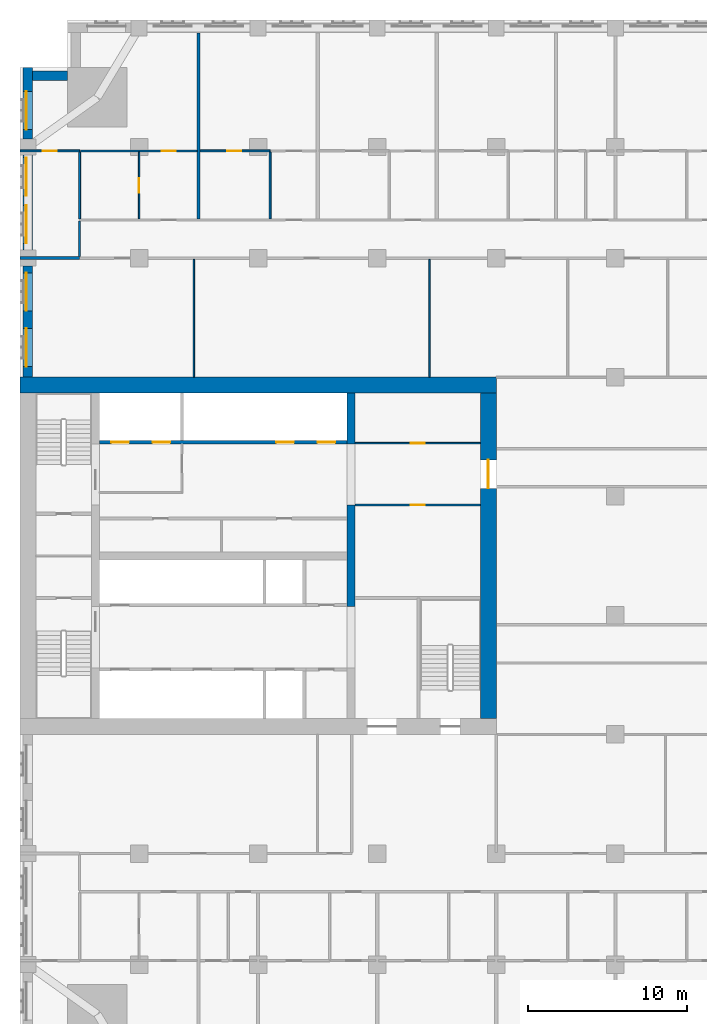
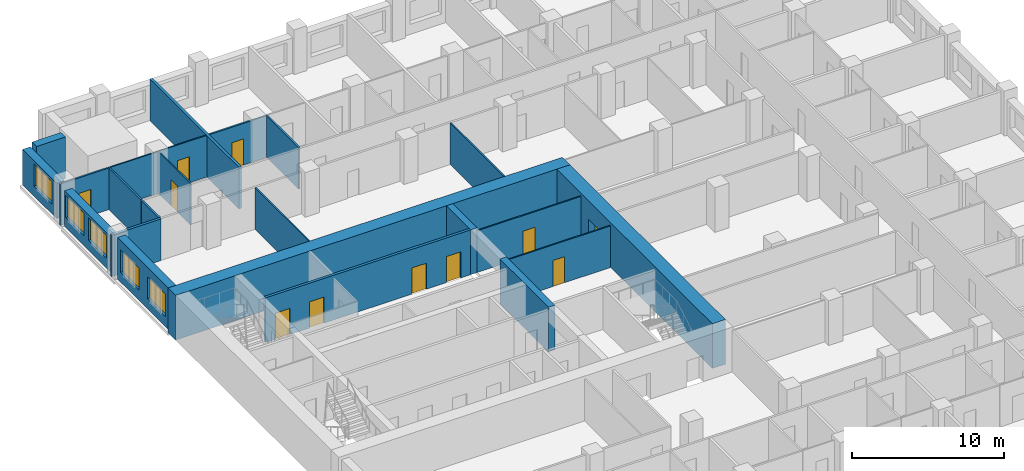
# One storey, part 8 of 14: 22 walls, 11 doors, 5 windows, 16 openings.
"""IFC4 building model written with IfcOpenShell, lengths in metres."""

import ifcopenshell
import ifcopenshell.guid

model = None  # the IFC model being written
_history = None  # IfcOwnerHistory: only IFC2X3 demands one
_inside = {}  # id of a spatial element -> (the spatial element, [elements in it])
_under = {}  # id of a project, library or spatial element -> (it, [spatial elements below it])
_declared = {}  # id of a project -> (the project, [libraries it declares])
_typed = {}  # id of a type object -> (the type object, [elements of that type])
_made_of = {}  # id of a material, layer set ... -> (it, [elements and type objects made of it])


def new_model(schema):
    """Start an empty IFC model of exactly this schema.

    Asked for "IFC4X3", IfcOpenShell would pick the latest addendum, in which some entities
    have other attributes; the version numbers below select the first issue.
    IFC2X3 requires an IfcOwnerHistory on every rooted entity: one is made here for all.
    """
    global model, _history
    if schema == "IFC4X3":
        model = ifcopenshell.file(schema_version=(4, 3, 0, 0))
    else:
        model = ifcopenshell.file(schema=schema)
    _inside.clear()
    _under.clear()
    _declared.clear()
    _typed.clear()
    _made_of.clear()
    _history = None
    if model.schema == "IFC2X3":
        org = make("IfcOrganization", Name="unknown")
        user = make(
            "IfcPersonAndOrganization",
            ThePerson=make("IfcPerson", FamilyName="unknown"),
            TheOrganization=org,
        )
        app = make(
            "IfcApplication",
            ApplicationDeveloper=org,
            Version="unknown",
            ApplicationFullName="unknown",
            ApplicationIdentifier="unknown",
        )
        _history = make(
            "IfcOwnerHistory",
            OwningUser=user,
            OwningApplication=app,
            ChangeAction="ADDED",
            CreationDate=0,
        )
    return model


def make(cls, **values):
    """One entity of the class cls with the attributes given. An attribute that is None is left unset."""
    return model.create_entity(
        cls, **{name: value for name, value in values.items() if value is not None}
    )


def rooted(cls, **values):
    """An entity with a GlobalId (a new one), such as an element, a storey or a relation."""
    return make(cls, GlobalId=ifcopenshell.guid.new(), OwnerHistory=_history, **values)


def si_unit(unit_type, name, prefix=None):
    """IfcSIUnit, for example si_unit("LENGTHUNIT", "METRE", prefix="MILLI")."""
    return make("IfcSIUnit", UnitType=unit_type, Prefix=prefix, Name=name)


def assignment(units):
    """IfcUnitAssignment: the units of a project."""
    return None if units is None else make("IfcUnitAssignment", Units=units)


def point(xyz):
    """IfcCartesianPoint."""
    return None if xyz is None else make("IfcCartesianPoint", Coordinates=xyz)


def direction(xyz):
    """IfcDirection."""
    return None if xyz is None else make("IfcDirection", DirectionRatios=xyz)


def frame(location, z_axis=None, x_axis=None):
    """IfcAxis2Placement3D, a coordinate frame: its origin and axes. An axis left out is left unset."""
    return make(
        "IfcAxis2Placement3D",
        Location=point(location),
        Axis=direction(z_axis),
        RefDirection=direction(x_axis),
    )


def frame_2d(location, x_axis=None):
    """IfcAxis2Placement2D, a coordinate frame in the plane: its origin and x axis."""
    return make(
        "IfcAxis2Placement2D", Location=point(location), RefDirection=direction(x_axis)
    )


def origin():
    """The frame at (0, 0, 0) with its axes left unset."""
    return frame((0.0, 0.0, 0.0))


def place(relative_to, where):
    """IfcLocalPlacement: puts the frame where relative to a parent placement (None: the world)."""
    return make(
        "IfcLocalPlacement", PlacementRelTo=relative_to, RelativePlacement=where
    )


def context(
    kind, dimensions, precision=None, world=None, true_north=None, identifier=None
):
    """IfcGeometricRepresentationContext, for example the 3D "Model" context."""
    return make(
        "IfcGeometricRepresentationContext",
        ContextIdentifier=identifier,
        ContextType=kind,
        CoordinateSpaceDimension=dimensions,
        Precision=precision,
        WorldCoordinateSystem=world,
        TrueNorth=true_north,
    )


def subcontext(parent, identifier, kind, view, scale=None):
    """IfcGeometricRepresentationSubContext, for example "Body" below "Model"."""
    return make(
        "IfcGeometricRepresentationSubContext",
        ContextIdentifier=identifier,
        ContextType=kind,
        ParentContext=parent,
        TargetScale=scale,
        TargetView=view,
    )


def project(units=None, contexts=None):
    """IfcProject with its units and contexts."""
    return rooted(
        "IfcProject",
        Name="project",
        RepresentationContexts=contexts,
        UnitsInContext=assignment(units),
    )


def spatial(cls, under=None, at=None, **own):
    """A site, building, storey or space (cls), placed at a placement, below another one or the project."""
    s = rooted(cls, ObjectPlacement=at, **own)
    if under is not None:
        _under.setdefault(under.id(), (under, []))[1].append(s)
    return s


def profile(cls, at=None, kind="AREA", **sizes):
    """A parametric profile (cls). Its sizes go by their IFC names, for example OverallWidth=200.0."""
    return make(cls, ProfileType=kind, Position=at, **sizes)


def rectangle(**sizes):
    """IfcRectangleProfileDef."""
    return profile("IfcRectangleProfileDef", **sizes)


def extrude(swept, where, along, depth):
    """IfcExtrudedAreaSolid: the profile swept, set in the frame where, extruded along a direction by depth."""
    return make(
        "IfcExtrudedAreaSolid",
        SweptArea=swept,
        Position=where,
        ExtrudedDirection=direction(along),
        Depth=depth,
    )


def shape(context_of_items, identifier, shape_type, items):
    """IfcShapeRepresentation: the items that make up one representation, for example the "Body"."""
    return make(
        "IfcShapeRepresentation",
        ContextOfItems=context_of_items,
        RepresentationIdentifier=identifier,
        RepresentationType=shape_type,
        Items=items,
    )


def material(Name=None, Category=None):
    """IfcMaterial."""
    return make("IfcMaterial", Name=Name, Category=Category)


def layer(
    of_material, thickness, ventilated=None, Name=None, Category=None, Priority=None
):
    """IfcMaterialLayer: one layer of a wall or slab, of a material (None: an air gap)."""
    return make(
        "IfcMaterialLayer",
        Material=of_material,
        LayerThickness=thickness,
        IsVentilated=ventilated,
        Name=Name,
        Category=Category,
        Priority=Priority,
    )


def layer_set(layers, Name=None):
    """IfcMaterialLayerSet."""
    return make("IfcMaterialLayerSet", MaterialLayers=layers, LayerSetName=Name)


def made_of(thing, what):
    """Note that an element or type object is made of a material, layer set ...; save() writes the relation."""
    if what is not None:
        _made_of.setdefault(what.id(), (what, []))[1].append(thing)
    return thing


def type_object(cls, material=None, **own):
    """A type object (cls), such as IfcWallType, which elements share."""
    return made_of(rooted(cls, **own), material)


def element(
    cls,
    number,
    at=None,
    inside=None,
    cuts=None,
    type_object=None,
    material=None,
    context=None,
    identifier="Body",
    shape_type=None,
    held_by="IfcProductDefinitionShape",
    body=None,
    shapes=None,
    **own,
):
    """One element of the class cls, such as IfcWall. Its Tag is "e" and its number.

    at: its placement. inside: the storey or other place that contains it. cuts: it is an
    opening in that element (IfcRelVoidsElement). A single representation is given by context,
    identifier, shape_type and body (its items); several are given by shapes. held_by: the class
    of the entity that holds the representations. save() writes the other relations.
    """
    e = rooted(cls, Tag="e%d" % number, ObjectPlacement=at, **own)
    if body is not None:
        shapes = [shape(context, identifier, shape_type, body)]
    if shapes is not None:
        e.Representation = make(held_by, Representations=shapes)
    if inside is not None:
        _inside.setdefault(inside.id(), (inside, []))[1].append(e)
    if cuts is not None:
        rooted(
            "IfcRelVoidsElement", RelatingBuildingElement=cuts, RelatedOpeningElement=e
        )
    if type_object is not None:
        _typed.setdefault(type_object.id(), (type_object, []))[1].append(e)
    return made_of(e, material)


def fill(opening, filler):
    """IfcRelFillsElement: the door or window that sits in an opening."""
    return rooted(
        "IfcRelFillsElement",
        RelatingOpeningElement=opening,
        RelatedBuildingElement=filler,
    )


def aggregate(whole, parts):
    """IfcRelAggregates: a whole, such as a stair, and the parts it consists of."""
    return rooted("IfcRelAggregates", RelatingObject=whole, RelatedObjects=parts)


def save(model, path):
    """Write the relations noted so far, then the file.

    IfcRelAggregates (storeys below a building ...), IfcRelContainedInSpatialStructure (elements
    in a storey), IfcRelDefinesByType, IfcRelAssociatesMaterial and IfcRelDeclares: one each for
    every whole, place, type object, material and project.
    """
    for whole, parts in _under.values():
        aggregate(whole, parts)
    for where, things in _inside.values():
        rooted(
            "IfcRelContainedInSpatialStructure",
            RelatedElements=things,
            RelatingStructure=where,
        )
    for kind, things in _typed.values():
        rooted("IfcRelDefinesByType", RelatedObjects=things, RelatingType=kind)
    for what, things in _made_of.values():
        rooted("IfcRelAssociatesMaterial", RelatedObjects=things, RelatingMaterial=what)
    for by, libraries in _declared.values():
        rooted("IfcRelDeclares", RelatingContext=by, RelatedDefinitions=libraries)
    model.write(path)


model = new_model("IFC4")

# Units and contexts
model_context = context("Model", 3, precision=1e-05, world=origin(), true_north=direction((0.0, 1.0)))
body_context = subcontext(model_context, "Body", "Model", "MODEL_VIEW")
ifc_project = project(units=[si_unit("LENGTHUNIT", "METRE"), si_unit("AREAUNIT", "SQUARE_METRE"), si_unit("VOLUMEUNIT", "CUBIC_METRE"), si_unit("PLANEANGLEUNIT", "RADIAN"), si_unit("MASSUNIT", "GRAM", prefix="KILO")], contexts=[model_context])

# Site, building, storey
site_placement = place(None, origin())
site = spatial("IfcSite", under=ifc_project, at=site_placement, CompositionType="ELEMENT")
building_placement = place(site_placement, origin())
building = spatial("IfcBuilding", under=site, at=building_placement, Name="Tamorin Gate", CompositionType="ELEMENT")
storey_placement = place(building_placement, frame((0.0, 0.0, 86.300048828125)))
storey = spatial("IfcBuildingStorey", under=building, at=storey_placement, Name="L20", CompositionType="ELEMENT", Elevation=86.300048828125)

# Wall
ifc_material_1 = material(Name="Precast concrete C40/50", Category="concrete")
ifc_layer_1 = layer(ifc_material_1, 0.60009765625)
ifc_layer_set_1 = layer_set([ifc_layer_1], Name="Precast concrete C40/50")
wall_type_1 = type_object("IfcWallType", Name="Board-marked concrete facade panel 600", PredefinedType="SOLIDWALL", material=ifc_layer_set_1)
wall_1_placement = place(storey_placement, frame((33.0, 101.5, 0.0), z_axis=(0.0, 0.0, 1.0), x_axis=(-1.0, 0.0, 0.0)))
element("IfcWall", 1, at=wall_1_placement, inside=storey, type_object=wall_type_1, Name="Facade panel", PredefinedType="SOLIDWALL", context=body_context, shape_type="SweptSolid", body=[
    extrude(rectangle(XDim=2.199951171875, YDim=0.60009765625, at=frame_2d((1.10009765625, 0.0))), origin(), (0.0, 0.0, 1.0), 3.349853515625),
])

# Wall, opening, window
wall_2_placement = place(storey_placement, frame((30.5, 102.0, 0.0), z_axis=(0.0, 0.0, 1.0), x_axis=(0.0, -1.0, 0.0)))
wall_2 = element("IfcWall", 2, at=wall_2_placement, inside=storey, type_object=wall_type_1, Name="Facade panel", PredefinedType="SOLIDWALL", context=body_context, shape_type="SweptSolid", body=[
    extrude(rectangle(XDim=4.5, YDim=0.60009765625, at=frame_2d((2.25, 0.0))), origin(), (0.0, 0.0, 1.0), 2.849853515625),
])
opening_1_placement = place(wall_2_placement, frame((1.5, 0.0, 0.800048828125)))
opening_1 = element("IfcOpeningElement", 3, at=opening_1_placement, cuts=wall_2, Name="Opening WN1", PredefinedType="OPENING", context=body_context, shape_type="SweptSolid", body=[
    extrude(rectangle(XDim=2.39990234375, YDim=1.800048828125, at=frame_2d((1.199951171875, 0.89990234375))), frame((0.0, 0.31005859375, 0.0), z_axis=(0.0, -1.0, 0.0), x_axis=(1.0, 0.0, 0.0)), (0.0, 0.0, 1.0), 0.6201171875),
])
ifc_material_2 = material(Name="Clear glass in aluminium frame", Category="aluminium")
window_type = type_object("IfcWindowType", Name="Deep-set window 2400x1800", PartitioningType="SINGLE_PANEL", PredefinedType="WINDOW", material=ifc_material_2)
window_1_placement = place(opening_1_placement, origin())
window_1 = element("IfcWindow", 4, at=window_1_placement, inside=storey, type_object=window_type, Name="Deep-set window", OverallHeight=1.800048828125, OverallWidth=2.39990234375, PartitioningType="SINGLE_PANEL", PredefinedType="WINDOW", context=body_context, shape_type="SweptSolid", body=[
    extrude(rectangle(XDim=2.39990234375, YDim=1.800048828125, at=frame_2d((1.199951171875, 0.89990234375))), frame((0.0, -0.070068359375, 0.0), z_axis=(0.0, -1.0, 0.0), x_axis=(1.0, 0.0, 0.0)), (0.0, 0.0, 1.0), 0.06005859375),
])
fill(opening_1, window_1)

# Wall, openings, windows
wall_3_placement = place(storey_placement, frame((30.5, 96.5, 0.0), z_axis=(0.0, 0.0, 1.0), x_axis=(0.0, -1.0, 0.0)))
wall_3 = element("IfcWall", 5, at=wall_3_placement, inside=storey, type_object=wall_type_1, Name="Facade panel", PredefinedType="SOLIDWALL", context=body_context, shape_type="SweptSolid", body=[
    extrude(rectangle(XDim=6.0, YDim=0.60009765625, at=frame_2d((3.0, 0.0))), origin(), (0.0, 0.0, 1.0), 2.849853515625),
])
opening_2_placement = place(wall_3_placement, frame((3.175048828125, 0.0, 0.800048828125)))
opening_2 = element("IfcOpeningElement", 6, at=opening_2_placement, cuts=wall_3, Name="Opening WN1", PredefinedType="OPENING", context=body_context, shape_type="SweptSolid", body=[
    extrude(rectangle(XDim=2.39990234375, YDim=1.800048828125, at=frame_2d((1.199951171875, 0.89990234375))), frame((0.0, 0.31005859375, 0.0), z_axis=(0.0, -1.0, 0.0), x_axis=(1.0, 0.0, 0.0)), (0.0, 0.0, 1.0), 0.6201171875),
])
opening_3_placement = place(wall_3_placement, frame((0.175048828125, 0.0, 0.800048828125)))
opening_3 = element("IfcOpeningElement", 7, at=opening_3_placement, cuts=wall_3, Name="Opening WN1", PredefinedType="OPENING", context=body_context, shape_type="SweptSolid", body=[
    extrude(rectangle(XDim=2.39990234375, YDim=1.800048828125, at=frame_2d((1.199951171875, 0.89990234375))), frame((0.0, 0.31005859375, 0.0), z_axis=(0.0, -1.0, 0.0), x_axis=(1.0, 0.0, 0.0)), (0.0, 0.0, 1.0), 0.6201171875),
])
window_2_placement = place(opening_2_placement, origin())
window_2 = element("IfcWindow", 8, at=window_2_placement, inside=storey, type_object=window_type, Name="Deep-set window", OverallHeight=1.800048828125, OverallWidth=2.39990234375, PartitioningType="SINGLE_PANEL", PredefinedType="WINDOW", context=body_context, shape_type="SweptSolid", body=[
    extrude(rectangle(XDim=2.39990234375, YDim=1.800048828125, at=frame_2d((1.199951171875, 0.89990234375))), frame((0.0, -0.070068359375, 0.0), z_axis=(0.0, -1.0, 0.0), x_axis=(1.0, 0.0, 0.0)), (0.0, 0.0, 1.0), 0.06005859375),
])
fill(opening_2, window_2)
window_3_placement = place(opening_3_placement, origin())
window_3 = element("IfcWindow", 9, at=window_3_placement, inside=storey, type_object=window_type, Name="Deep-set window", OverallHeight=1.800048828125, OverallWidth=2.39990234375, PartitioningType="SINGLE_PANEL", PredefinedType="WINDOW", context=body_context, shape_type="SweptSolid", body=[
    extrude(rectangle(XDim=2.39990234375, YDim=1.800048828125, at=frame_2d((1.199951171875, 0.89990234375))), frame((0.0, -0.070068359375, 0.0), z_axis=(0.0, -1.0, 0.0), x_axis=(1.0, 0.0, 0.0)), (0.0, 0.0, 1.0), 0.06005859375),
])
fill(opening_3, window_3)

wall_4_placement = place(storey_placement, frame((30.5, 89.5, 0.0), z_axis=(0.0, 0.0, 1.0), x_axis=(0.0, -1.0, 0.0)))
wall_4 = element("IfcWall", 10, at=wall_4_placement, inside=storey, type_object=wall_type_1, Name="Facade panel", PredefinedType="SOLIDWALL", context=body_context, shape_type="SweptSolid", body=[
    extrude(rectangle(XDim=7.0, YDim=0.60009765625, at=frame_2d((3.5, 0.0))), origin(), (0.0, 0.0, 1.0), 3.349853515625),
])
opening_4_placement = place(wall_4_placement, frame((3.925048828125, 0.0, 0.800048828125)))
opening_4 = element("IfcOpeningElement", 11, at=opening_4_placement, cuts=wall_4, Name="Opening WN1", PredefinedType="OPENING", context=body_context, shape_type="SweptSolid", body=[
    extrude(rectangle(XDim=2.39990234375, YDim=1.800048828125, at=frame_2d((1.199951171875, 0.89990234375))), frame((0.0, 0.31005859375, 0.0), z_axis=(0.0, -1.0, 0.0), x_axis=(1.0, 0.0, 0.0)), (0.0, 0.0, 1.0), 0.6201171875),
])
opening_5_placement = place(wall_4_placement, frame((0.425048828125, 0.0, 0.800048828125)))
opening_5 = element("IfcOpeningElement", 12, at=opening_5_placement, cuts=wall_4, Name="Opening WN1", PredefinedType="OPENING", context=body_context, shape_type="SweptSolid", body=[
    extrude(rectangle(XDim=2.39990234375, YDim=1.800048828125, at=frame_2d((1.199951171875, 0.89990234375))), frame((0.0, 0.31005859375, 0.0), z_axis=(0.0, -1.0, 0.0), x_axis=(1.0, 0.0, 0.0)), (0.0, 0.0, 1.0), 0.6201171875),
])
window_4_placement = place(opening_4_placement, origin())
window_4 = element("IfcWindow", 13, at=window_4_placement, inside=storey, type_object=window_type, Name="Deep-set window", OverallHeight=1.800048828125, OverallWidth=2.39990234375, PartitioningType="SINGLE_PANEL", PredefinedType="WINDOW", context=body_context, shape_type="SweptSolid", body=[
    extrude(rectangle(XDim=2.39990234375, YDim=1.800048828125, at=frame_2d((1.199951171875, 0.89990234375))), frame((0.0, -0.070068359375, 0.0), z_axis=(0.0, -1.0, 0.0), x_axis=(1.0, 0.0, 0.0)), (0.0, 0.0, 1.0), 0.06005859375),
])
fill(opening_4, window_4)
window_5_placement = place(opening_5_placement, origin())
window_5 = element("IfcWindow", 14, at=window_5_placement, inside=storey, type_object=window_type, Name="Deep-set window", OverallHeight=1.800048828125, OverallWidth=2.39990234375, PartitioningType="SINGLE_PANEL", PredefinedType="WINDOW", context=body_context, shape_type="SweptSolid", body=[
    extrude(rectangle(XDim=2.39990234375, YDim=1.800048828125, at=frame_2d((1.199951171875, 0.89990234375))), frame((0.0, -0.070068359375, 0.0), z_axis=(0.0, -1.0, 0.0), x_axis=(1.0, 0.0, 0.0)), (0.0, 0.0, 1.0), 0.06005859375),
])
fill(opening_5, window_5)

# Walls
ifc_material_3 = material(Name="Gypsum board partition")
ifc_layer_2 = layer(ifc_material_3, 0.14990234375)
ifc_layer_set_2 = layer_set([ifc_layer_2], Name="Corridor wall 150")
wall_type_2 = type_object("IfcWallType", Name="Corridor wall 150", PredefinedType="PARTITIONING", material=ifc_layer_set_2)
wall_5_placement = place(storey_placement, frame((33.75, 90.10009765625, 0.0), z_axis=(0.0, 0.0, 1.0), x_axis=(0.0, 1.0, 0.0)))
element("IfcWall", 15, at=wall_5_placement, inside=storey, type_object=wall_type_2, Name="Corridor wall 150", PredefinedType="PARTITIONING", context=body_context, shape_type="SweptSolid", body=[
    extrude(rectangle(XDim=2.224853515625, YDim=0.14990234375, at=frame_2d((1.1123046875, 0.0))), origin(), (0.0, 0.0, 1.0), 3.349853515625),
])
ifc_layer_3 = layer(ifc_material_3, 0.199951171875)
ifc_layer_set_3 = layer_set([ifc_layer_3], Name="Demising wall 200")
wall_type_3 = type_object("IfcWallType", Name="Demising wall 200", PredefinedType="PARTITIONING", material=ifc_layer_set_3)
wall_6_placement = place(storey_placement, frame((30.0, 90.0, 0.0), z_axis=(0.0, 0.0, 1.0), x_axis=(1.0, 0.0, 0.0)))
element("IfcWall", 16, at=wall_6_placement, inside=storey, type_object=wall_type_3, Name="Demising wall 200", PredefinedType="PARTITIONING", context=body_context, shape_type="SweptSolid", body=[
    extrude(rectangle(XDim=3.75, YDim=0.199951171875, at=frame_2d((1.875, 0.0))), origin(), (0.0, 0.0, 1.0), 3.349853515625),
])
wall_7_placement = place(storey_placement, frame((41.25, 92.47509765625, 0.0), z_axis=(0.0, 0.0, 1.0), x_axis=(0.0, 1.0, 0.0)))
element("IfcWall", 17, at=wall_7_placement, inside=storey, type_object=wall_type_3, Name="Demising wall 200", PredefinedType="PARTITIONING", context=body_context, shape_type="SweptSolid", body=[
    extrude(rectangle(XDim=11.71484375, YDim=0.199951171875, at=frame_2d((5.857421875, 0.0))), origin(), (0.0, 0.0, 1.0), 3.349853515625),
])

# Wall, openings, doors
ifc_material_4 = material(Name="Concrete C32/40", Category="concrete")
ifc_layer_4 = layer(ifc_material_4, 0.199951171875)
ifc_layer_set_4 = layer_set([ifc_layer_4], Name="Lift lobby face wall 200 EI 120")
wall_type_4 = type_object("IfcWallType", Name="Lift lobby face wall 200 EI 120", PredefinedType="SOLIDWALL", material=ifc_layer_set_4)
wall_8_placement = place(storey_placement, frame((35.0, 78.39990234375, 0.0), z_axis=(0.0, 0.0, 1.0), x_axis=(1.0, 0.0, 0.0)))
wall_8 = element("IfcWall", 18, at=wall_8_placement, inside=storey, type_object=wall_type_4, Name="Lift lobby face wall", PredefinedType="SOLIDWALL", context=body_context, shape_type="SweptSolid", body=[
    extrude(rectangle(XDim=15.60009765625, YDim=0.199951171875, at=frame_2d((7.800048828125, 0.0))), origin(), (0.0, 0.0, 1.0), 3.599853515625),
])
opening_6_placement = place(wall_8_placement, frame((0.75, 0.0, 0.0)))
opening_6 = element("IfcOpeningElement", 19, at=opening_6_placement, cuts=wall_8, Name="Opening LD17", PredefinedType="OPENING", context=body_context, shape_type="SweptSolid", body=[
    extrude(rectangle(XDim=1.10009765625, YDim=2.10009765625, at=frame_2d((0.550048828125, 1.050048828125))), frame((0.0, 0.10986328125, 0.0), z_axis=(0.0, -1.0, 0.0), x_axis=(1.0, 0.0, 0.0)), (0.0, 0.0, 1.0), 0.219970703125),
])
opening_7_placement = place(wall_8_placement, frame((3.35009765625, 0.0, 0.0)))
opening_7 = element("IfcOpeningElement", 20, at=opening_7_placement, cuts=wall_8, Name="Opening LD18", PredefinedType="OPENING", context=body_context, shape_type="SweptSolid", body=[
    extrude(rectangle(XDim=1.10009765625, YDim=2.10009765625, at=frame_2d((0.550048828125, 1.050048828125))), frame((0.0, 0.10986328125, 0.0), z_axis=(0.0, -1.0, 0.0), x_axis=(1.0, 0.0, 0.0)), (0.0, 0.0, 1.0), 0.219970703125),
])
opening_8_placement = place(wall_8_placement, frame((11.14990234375, 0.0, 0.0)))
opening_8 = element("IfcOpeningElement", 21, at=opening_8_placement, cuts=wall_8, Name="Opening LD21", PredefinedType="OPENING", context=body_context, shape_type="SweptSolid", body=[
    extrude(rectangle(XDim=1.10009765625, YDim=2.10009765625, at=frame_2d((0.550048828125, 1.050048828125))), frame((0.0, 0.10986328125, 0.0), z_axis=(0.0, -1.0, 0.0), x_axis=(1.0, 0.0, 0.0)), (0.0, 0.0, 1.0), 0.219970703125),
])
opening_9_placement = place(wall_8_placement, frame((13.75, 0.0, 0.0)))
opening_9 = element("IfcOpeningElement", 22, at=opening_9_placement, cuts=wall_8, Name="Opening LD22", PredefinedType="OPENING", context=body_context, shape_type="SweptSolid", body=[
    extrude(rectangle(XDim=1.10009765625, YDim=2.10009765625, at=frame_2d((0.550048828125, 1.050048828125))), frame((0.0, 0.10986328125, 0.0), z_axis=(0.0, -1.0, 0.0), x_axis=(1.0, 0.0, 0.0)), (0.0, 0.0, 1.0), 0.219970703125),
])
ifc_material_5 = material(Name="Stainless steel sliding door", Category="steel")
door_type_1 = type_object("IfcDoorType", Name="Lift landing door 1100 x 2100 E 90", OperationType="DOUBLE_DOOR_SLIDING", PredefinedType="DOOR", material=ifc_material_5)
door_1_placement = place(opening_6_placement, origin())
door_1 = element("IfcDoor", 23, at=door_1_placement, inside=storey, type_object=door_type_1, Name="FF1 landing door", OperationType="DOUBLE_DOOR_SLIDING", OverallHeight=2.10009765625, OverallWidth=1.10009765625, PredefinedType="DOOR", context=body_context, shape_type="SweptSolid", body=[
    extrude(rectangle(XDim=1.10009765625, YDim=2.10009765625, at=frame_2d((0.550048828125, 1.050048828125))), frame((0.0, 0.02490234375, 0.0), z_axis=(0.0, -1.0, 0.0), x_axis=(1.0, 0.0, 0.0)), (0.0, 0.0, 1.0), 0.050048828125),
])
fill(opening_6, door_1)
door_2_placement = place(opening_7_placement, origin())
door_2 = element("IfcDoor", 24, at=door_2_placement, inside=storey, type_object=door_type_1, Name="FF2 landing door", OperationType="DOUBLE_DOOR_SLIDING", OverallHeight=2.10009765625, OverallWidth=1.10009765625, PredefinedType="DOOR", context=body_context, shape_type="SweptSolid", body=[
    extrude(rectangle(XDim=1.10009765625, YDim=2.10009765625, at=frame_2d((0.550048828125, 1.050048828125))), frame((0.0, 0.02490234375, 0.0), z_axis=(0.0, -1.0, 0.0), x_axis=(1.0, 0.0, 0.0)), (0.0, 0.0, 1.0), 0.050048828125),
])
fill(opening_7, door_2)
door_3_placement = place(opening_8_placement, origin())
door_3 = element("IfcDoor", 25, at=door_3_placement, inside=storey, type_object=door_type_1, Name="SV1 landing door", OperationType="DOUBLE_DOOR_SLIDING", OverallHeight=2.10009765625, OverallWidth=1.10009765625, PredefinedType="DOOR", context=body_context, shape_type="SweptSolid", body=[
    extrude(rectangle(XDim=1.10009765625, YDim=2.10009765625, at=frame_2d((0.550048828125, 1.050048828125))), frame((0.0, 0.02490234375, 0.0), z_axis=(0.0, -1.0, 0.0), x_axis=(1.0, 0.0, 0.0)), (0.0, 0.0, 1.0), 0.050048828125),
])
fill(opening_8, door_3)
door_4_placement = place(opening_9_placement, origin())
door_4 = element("IfcDoor", 26, at=door_4_placement, inside=storey, type_object=door_type_1, Name="SV2 landing door", OperationType="DOUBLE_DOOR_SLIDING", OverallHeight=2.10009765625, OverallWidth=1.10009765625, PredefinedType="DOOR", context=body_context, shape_type="SweptSolid", body=[
    extrude(rectangle(XDim=1.10009765625, YDim=2.10009765625, at=frame_2d((0.550048828125, 1.050048828125))), frame((0.0, 0.02490234375, 0.0), z_axis=(0.0, -1.0, 0.0), x_axis=(1.0, 0.0, 0.0)), (0.0, 0.0, 1.0), 0.050048828125),
])
fill(opening_9, door_4)

# Walls
ifc_material_6 = material(Name="Concrete C80/95", Category="concrete")
ifc_layer_5 = layer(ifc_material_6, 0.5)
ifc_layer_set_5 = layer_set([ifc_layer_5], Name="RC core internal wall 500 C80/95")
wall_type_5 = type_object("IfcWallType", Name="RC core internal wall 500 C80/95", PredefinedType="SHEAR", material=ifc_layer_set_5)
wall_9_placement = place(storey_placement, frame((50.85009765625, 68.050048828125, 0.0), z_axis=(0.0, 0.0, 1.0), x_axis=(0.0, 1.0, 0.0)))
element("IfcWall", 27, at=wall_9_placement, inside=storey, type_object=wall_type_5, Name="Core cross wall L20", PredefinedType="SHEAR", context=body_context, shape_type="SweptSolid", body=[
    extrude(rectangle(XDim=6.39990234375, YDim=0.5, at=frame_2d((3.199951171875, 0.0))), origin(), (0.0, 0.0, 1.0), 3.599853515625),
])
wall_10_placement = place(storey_placement, frame((50.85009765625, 78.300048828125, 0.0), z_axis=(0.0, 0.0, 1.0), x_axis=(0.0, 1.0, 0.0)))
element("IfcWall", 28, at=wall_10_placement, inside=storey, type_object=wall_type_5, Name="Core cross wall L20", PredefinedType="SHEAR", context=body_context, shape_type="SweptSolid", body=[
    extrude(rectangle(XDim=3.199951171875, YDim=0.5, at=frame_2d((1.60009765625, 0.0))), origin(), (0.0, 0.0, 1.0), 3.599853515625),
])
ifc_layer_6 = layer(ifc_material_6, 1.0)
ifc_layer_set_6 = layer_set([ifc_layer_6], Name="RC core wall 1000 C80/95")
wall_type_6 = type_object("IfcWallType", Name="RC core wall 1000 C80/95", PredefinedType="SHEAR", material=ifc_layer_set_6)
wall_11_placement = place(storey_placement, frame((30.0, 82.0, 0.0), z_axis=(0.0, 0.0, 1.0), x_axis=(1.0, 0.0, 0.0)))
element("IfcWall", 29, at=wall_11_placement, inside=storey, type_object=wall_type_6, Name="Core wall L20", PredefinedType="SHEAR", context=body_context, shape_type="SweptSolid", body=[
    extrude(rectangle(XDim=30.0, YDim=1.0, at=frame_2d((15.0, 0.0))), origin(), (0.0, 0.0, 1.0), 3.599853515625),
])

# Wall, opening, door
wall_12_placement = place(storey_placement, frame((59.5, 61.0, 0.0), z_axis=(0.0, 0.0, 1.0), x_axis=(0.0, 1.0, 0.0)))
wall_12 = element("IfcWall", 30, at=wall_12_placement, inside=storey, type_object=wall_type_6, Name="Core wall L20", PredefinedType="SHEAR", context=body_context, shape_type="SweptSolid", body=[
    extrude(rectangle(XDim=20.5, YDim=1.0, at=frame_2d((10.25, 0.0))), origin(), (0.0, 0.0, 1.0), 3.599853515625),
])
opening_10_placement = place(wall_12_placement, frame((14.5, 0.0, 0.0)))
opening_10 = element("IfcOpeningElement", 31, at=opening_10_placement, cuts=wall_12, Name="Opening DE1", PredefinedType="OPENING", context=body_context, shape_type="SweptSolid", body=[
    extrude(rectangle(XDim=1.800048828125, YDim=2.10009765625, at=frame_2d((0.89990234375, 1.050048828125))), frame((0.0, 0.510009765625, 0.0), z_axis=(0.0, -1.0, 0.0), x_axis=(1.0, 0.0, 0.0)), (0.0, 0.0, 1.0), 1.02001953125),
])
ifc_material_7 = material(Name="Steel fire door", Category="steel")
door_type_2 = type_object("IfcDoorType", Name="Lobby exit double door 1800 x 2100 EI 60", OperationType="DOUBLE_DOOR_SINGLE_SWING", PredefinedType="DOOR", material=ifc_material_7)
door_5_placement = place(opening_10_placement, origin())
door_5 = element("IfcDoor", 32, at=door_5_placement, inside=storey, type_object=door_type_2, Name="Lift lobby B exit door", OperationType="DOUBLE_DOOR_SINGLE_SWING", OverallHeight=2.10009765625, OverallWidth=1.800048828125, PredefinedType="DOOR", context=body_context, shape_type="SweptSolid", body=[
    extrude(rectangle(XDim=1.800048828125, YDim=2.10009765625, at=frame_2d((0.89990234375, 1.050048828125))), frame((0.0, 0.02490234375, 0.0), z_axis=(0.0, -1.0, 0.0), x_axis=(1.0, 0.0, 0.0)), (0.0, 0.0, 1.0), 0.050048828125),
])
fill(opening_10, door_5)

ifc_layer_7 = layer(ifc_material_3, 0.10009765625)
ifc_layer_set_7 = layer_set([ifc_layer_7], Name="Room partition 100")
wall_type_7 = type_object("IfcWallType", Name="Room partition 100", PredefinedType="PARTITIONING", material=ifc_layer_set_7)
wall_13_placement = place(storey_placement, frame((33.8125, 96.75, 0.0), z_axis=(0.0, 0.0, 1.0), x_axis=(1.0, 0.0, 0.0)))
wall_13 = element("IfcWall", 33, at=wall_13_placement, inside=storey, type_object=wall_type_7, Name="Room partition 100", PredefinedType="PARTITIONING", context=body_context, shape_type="SweptSolid", body=[
    extrude(rectangle(XDim=7.33740234375, YDim=0.10009765625, at=frame_2d((3.668701171875, 0.0))), origin(), (0.0, 0.0, 1.0), 3.349853515625),
])
opening_11_placement = place(wall_13_placement, frame((5.112548828125, 0.0, 0.0)))
opening_11 = element("IfcOpeningElement", 34, at=opening_11_placement, cuts=wall_13, Name="Opening DH7023", PredefinedType="OPENING", context=body_context, shape_type="SweptSolid", body=[
    extrude(rectangle(XDim=0.89990234375, YDim=2.10009765625, at=frame_2d((0.449951171875, 1.050048828125))), frame((0.0, 0.06005859375, 0.0), z_axis=(0.0, -1.0, 0.0), x_axis=(1.0, 0.0, 0.0)), (0.0, 0.0, 1.0), 0.1201171875),
])
ifc_material_8 = material(Name="Timber door leaf", Category="wood")
door_type_3 = type_object("IfcDoorType", Name="Door 900 x 2100", OperationType="NOTDEFINED", PredefinedType="DOOR", material=ifc_material_8)
door_6_placement = place(opening_11_placement, origin())
door_6 = element("IfcDoor", 35, at=door_6_placement, inside=storey, type_object=door_type_3, Name="Door DH7023", OperationType="SINGLE_SWING_RIGHT", OverallHeight=2.10009765625, OverallWidth=0.89990234375, PredefinedType="DOOR", context=body_context, shape_type="SweptSolid", body=[
    extrude(rectangle(XDim=0.89990234375, YDim=2.10009765625, at=frame_2d((0.449951171875, 1.050048828125))), frame((0.0, 0.02490234375, 0.0), z_axis=(0.0, -1.0, 0.0), x_axis=(1.0, 0.0, 0.0)), (0.0, 0.0, 1.0), 0.050048828125),
])
fill(opening_11, door_6)

wall_14_placement = place(storey_placement, frame((37.5, 92.47509765625, 0.0), z_axis=(0.0, 0.0, 1.0), x_axis=(0.0, 1.0, 0.0)))
wall_14 = element("IfcWall", 36, at=wall_14_placement, inside=storey, type_object=wall_type_7, Name="Room partition 100", PredefinedType="PARTITIONING", context=body_context, shape_type="SweptSolid", body=[
    extrude(rectangle(XDim=4.224853515625, YDim=0.10009765625, at=frame_2d((2.1123046875, 0.0))), origin(), (0.0, 0.0, 1.0), 3.349853515625),
])
opening_12_placement = place(wall_14_placement, frame((1.64990234375, 0.0, 0.0)))
opening_12 = element("IfcOpeningElement", 37, at=opening_12_placement, cuts=wall_14, Name="Opening DH7021", PredefinedType="OPENING", context=body_context, shape_type="SweptSolid", body=[
    extrude(rectangle(XDim=0.89990234375, YDim=2.10009765625, at=frame_2d((0.449951171875, 1.050048828125))), frame((0.0, 0.06005859375, 0.0), z_axis=(0.0, -1.0, 0.0), x_axis=(1.0, 0.0, 0.0)), (0.0, 0.0, 1.0), 0.1201171875),
])
door_7_placement = place(opening_12_placement, origin())
door_7 = element("IfcDoor", 38, at=door_7_placement, inside=storey, type_object=door_type_3, Name="Door DH7021", OperationType="SINGLE_SWING_RIGHT", OverallHeight=2.10009765625, OverallWidth=0.89990234375, PredefinedType="DOOR", context=body_context, shape_type="SweptSolid", body=[
    extrude(rectangle(XDim=0.89990234375, YDim=2.10009765625, at=frame_2d((0.449951171875, 1.050048828125))), frame((0.0, 0.02490234375, 0.0), z_axis=(0.0, -1.0, 0.0), x_axis=(1.0, 0.0, 0.0)), (0.0, 0.0, 1.0), 0.050048828125),
])
fill(opening_12, door_7)

# Walls
for number, where, z_axis, x_axis, name in (
    (39, (40.949951171875, 82.5, 0.0), (0.0, 0.0, 1.0), (0.0, 1.0, 0.0), "Room partition 100"),
    (40, (55.800048828125, 82.5, 0.0), (0.0, 0.0, 1.0), (0.0, 1.0, 0.0), "Room partition 100"),
):
    element("IfcWall", number, at=place(storey_placement, frame(where, z_axis=z_axis, x_axis=x_axis)), inside=storey, type_object=wall_type_7, Name=name, PredefinedType="PARTITIONING", context=body_context, shape_type="SweptSolid", body=[
        extrude(rectangle(XDim=7.425048828125, YDim=0.10009765625, at=frame_2d((3.71240234375, 0.0))), origin(), (0.0, 0.0, 1.0), 3.349853515625),
    ])

# Wall, opening, door
ifc_layer_8 = layer(ifc_material_3, 0.10009765625)
ifc_layer_set_8 = layer_set([ifc_layer_8], Name="Service room partition 100 EI 60")
wall_type_8 = type_object("IfcWallType", Name="Service room partition 100 EI 60", PredefinedType="PARTITIONING", material=ifc_layer_set_8)
wall_15_placement = place(storey_placement, frame((51.10009765625, 74.449951171875, 0.0), z_axis=(0.0, 0.0, 1.0), x_axis=(1.0, 0.0, 0.0)))
wall_15 = element("IfcWall", 41, at=wall_15_placement, inside=storey, type_object=wall_type_8, Name="Service room wall", PredefinedType="PARTITIONING", context=body_context, shape_type="SweptSolid", body=[
    extrude(rectangle(XDim=7.89990234375, YDim=0.10009765625, at=frame_2d((3.949951171875, 0.0))), origin(), (0.0, 0.0, 1.0), 3.349853515625),
])
opening_13_placement = place(wall_15_placement, frame((3.5, 0.0, 0.0)))
opening_13 = element("IfcOpeningElement", 42, at=opening_13_placement, cuts=wall_15, Name="Opening DR1", PredefinedType="OPENING", context=body_context, shape_type="SweptSolid", body=[
    extrude(rectangle(XDim=0.89990234375, YDim=2.10009765625, at=frame_2d((0.449951171875, 1.050048828125))), frame((0.0, 0.06005859375, 0.0), z_axis=(0.0, -1.0, 0.0), x_axis=(1.0, 0.0, 0.0)), (0.0, 0.0, 1.0), 0.1201171875),
])
door_type_4 = type_object("IfcDoorType", Name="Riser access door 900 x 2100 EI 120", OperationType="SINGLE_SWING_LEFT", PredefinedType="DOOR", material=ifc_material_7)
door_8_placement = place(opening_13_placement, origin())
door_8 = element("IfcDoor", 43, at=door_8_placement, inside=storey, type_object=door_type_4, Name="Duct riser door", OperationType="SINGLE_SWING_RIGHT", OverallHeight=2.10009765625, OverallWidth=0.89990234375, PredefinedType="DOOR", context=body_context, shape_type="SweptSolid", body=[
    extrude(rectangle(XDim=0.89990234375, YDim=2.10009765625, at=frame_2d((0.449951171875, 1.050048828125))), frame((0.0, 0.02490234375, 0.0), z_axis=(0.0, -1.0, 0.0), x_axis=(1.0, 0.0, 0.0)), (0.0, 0.0, 1.0), 0.050048828125),
])
fill(opening_13, door_8)

wall_16_placement = place(storey_placement, frame((51.10009765625, 78.35009765625, 0.0), z_axis=(0.0, 0.0, 1.0), x_axis=(1.0, 0.0, 0.0)))
wall_16 = element("IfcWall", 44, at=wall_16_placement, inside=storey, type_object=wall_type_8, Name="Service room wall", PredefinedType="PARTITIONING", context=body_context, shape_type="SweptSolid", body=[
    extrude(rectangle(XDim=7.89990234375, YDim=0.10009765625, at=frame_2d((3.949951171875, 0.0))), origin(), (0.0, 0.0, 1.0), 3.349853515625),
])
opening_14_placement = place(wall_16_placement, frame((3.5, 0.0, 0.0)))
opening_14 = element("IfcOpeningElement", 45, at=opening_14_placement, cuts=wall_16, Name="Opening DK1", PredefinedType="OPENING", context=body_context, shape_type="SweptSolid", body=[
    extrude(rectangle(XDim=0.89990234375, YDim=2.10009765625, at=frame_2d((0.449951171875, 1.050048828125))), frame((0.0, 0.06005859375, 0.0), z_axis=(0.0, -1.0, 0.0), x_axis=(1.0, 0.0, 0.0)), (0.0, 0.0, 1.0), 0.1201171875),
])
ifc_material_9 = material(Name="Timber fire door", Category="wood")
door_type_5 = type_object("IfcDoorType", Name="Service room door 900 x 2100 EI 60", OperationType="SINGLE_SWING_LEFT", PredefinedType="DOOR", material=ifc_material_9)
door_9_placement = place(opening_14_placement, origin())
door_9 = element("IfcDoor", 46, at=door_9_placement, inside=storey, type_object=door_type_5, Name="Door Housekeeping office", OperationType="SINGLE_SWING_RIGHT", OverallHeight=2.10009765625, OverallWidth=0.89990234375, PredefinedType="DOOR", context=body_context, shape_type="SweptSolid", body=[
    extrude(rectangle(XDim=0.89990234375, YDim=2.10009765625, at=frame_2d((0.449951171875, 1.050048828125))), frame((0.0, 0.02490234375, 0.0), z_axis=(0.0, -1.0, 0.0), x_axis=(1.0, 0.0, 0.0)), (0.0, 0.0, 1.0), 0.050048828125),
])
fill(opening_14, door_9)

ifc_layer_9 = layer(ifc_material_3, 0.125)
ifc_layer_set_9 = layer_set([ifc_layer_9], Name="Wet wall 125")
wall_type_9 = type_object("IfcWallType", Name="Wet wall 125", PredefinedType="PARTITIONING", material=ifc_layer_set_9)
wall_17_placement = place(storey_placement, frame((30.0, 96.75, 0.0), z_axis=(0.0, 0.0, 1.0), x_axis=(1.0, 0.0, 0.0)))
wall_17 = element("IfcWall", 47, at=wall_17_placement, inside=storey, type_object=wall_type_9, Name="Wet wall 125", PredefinedType="PARTITIONING", context=body_context, shape_type="SweptSolid", body=[
    extrude(rectangle(XDim=3.75, YDim=0.125, at=frame_2d((1.875, 0.0))), origin(), (0.0, 0.0, 1.0), 3.349853515625),
])
opening_15_placement = place(wall_17_placement, frame((1.425048828125, 0.0, 0.0)))
opening_15 = element("IfcOpeningElement", 48, at=opening_15_placement, cuts=wall_17, Name="Opening DH7020", PredefinedType="OPENING", context=body_context, shape_type="SweptSolid", body=[
    extrude(rectangle(XDim=0.89990234375, YDim=2.10009765625, at=frame_2d((0.449951171875, 1.050048828125))), frame((0.0, 0.072509765625, 0.0), z_axis=(0.0, -1.0, 0.0), x_axis=(1.0, 0.0, 0.0)), (0.0, 0.0, 1.0), 0.14501953125),
])
door_10_placement = place(opening_15_placement, origin())
door_10 = element("IfcDoor", 49, at=door_10_placement, inside=storey, type_object=door_type_3, Name="Door DH7020", OperationType="SINGLE_SWING_RIGHT", OverallHeight=2.10009765625, OverallWidth=0.89990234375, PredefinedType="DOOR", context=body_context, shape_type="SweptSolid", body=[
    extrude(rectangle(XDim=0.89990234375, YDim=2.10009765625, at=frame_2d((0.449951171875, 1.050048828125))), frame((0.0, 0.02490234375, 0.0), z_axis=(0.0, -1.0, 0.0), x_axis=(1.0, 0.0, 0.0)), (0.0, 0.0, 1.0), 0.050048828125),
])
fill(opening_15, door_10)

wall_18_placement = place(storey_placement, frame((41.35009765625, 96.75, 0.0), z_axis=(0.0, 0.0, 1.0), x_axis=(1.0, 0.0, 0.0)))
wall_18 = element("IfcWall", 50, at=wall_18_placement, inside=storey, type_object=wall_type_9, Name="Wet wall 125", PredefinedType="PARTITIONING", context=body_context, shape_type="SweptSolid", body=[
    extrude(rectangle(XDim=4.39990234375, YDim=0.125, at=frame_2d((2.199951171875, 0.0))), origin(), (0.0, 0.0, 1.0), 3.349853515625),
])
opening_16_placement = place(wall_18_placement, frame((1.699951171875, 0.0, 0.0)))
opening_16 = element("IfcOpeningElement", 51, at=opening_16_placement, cuts=wall_18, Name="Opening DH7024", PredefinedType="OPENING", context=body_context, shape_type="SweptSolid", body=[
    extrude(rectangle(XDim=0.89990234375, YDim=2.10009765625, at=frame_2d((0.449951171875, 1.050048828125))), frame((0.0, 0.072509765625, 0.0), z_axis=(0.0, -1.0, 0.0), x_axis=(1.0, 0.0, 0.0)), (0.0, 0.0, 1.0), 0.14501953125),
])
door_11_placement = place(opening_16_placement, origin())
door_11 = element("IfcDoor", 52, at=door_11_placement, inside=storey, type_object=door_type_3, Name="Door DH7024", OperationType="SINGLE_SWING_RIGHT", OverallHeight=2.10009765625, OverallWidth=0.89990234375, PredefinedType="DOOR", context=body_context, shape_type="SweptSolid", body=[
    extrude(rectangle(XDim=0.89990234375, YDim=2.10009765625, at=frame_2d((0.449951171875, 1.050048828125))), frame((0.0, 0.02490234375, 0.0), z_axis=(0.0, -1.0, 0.0), x_axis=(1.0, 0.0, 0.0)), (0.0, 0.0, 1.0), 0.050048828125),
])
fill(opening_16, door_11)

# Walls
for number, where, z_axis, x_axis, name in (
    (53, (33.75, 92.47509765625, 0.0), (0.0, 0.0, 1.0), (0.0, 1.0, 0.0), "Wet wall 125"),
    (54, (45.75, 92.47509765625, 0.0), (0.0, 0.0, 1.0), (0.0, 1.0, 0.0), "Wet wall 125"),
):
    element("IfcWall", number, at=place(storey_placement, frame(where, z_axis=z_axis, x_axis=x_axis)), inside=storey, type_object=wall_type_9, Name=name, PredefinedType="PARTITIONING", context=body_context, shape_type="SweptSolid", body=[
        extrude(rectangle(XDim=4.21240234375, YDim=0.125, at=frame_2d((2.106201171875, 0.0))), origin(), (0.0, 0.0, 1.0), 3.349853515625),
    ])

save(model, "model.ifc")
